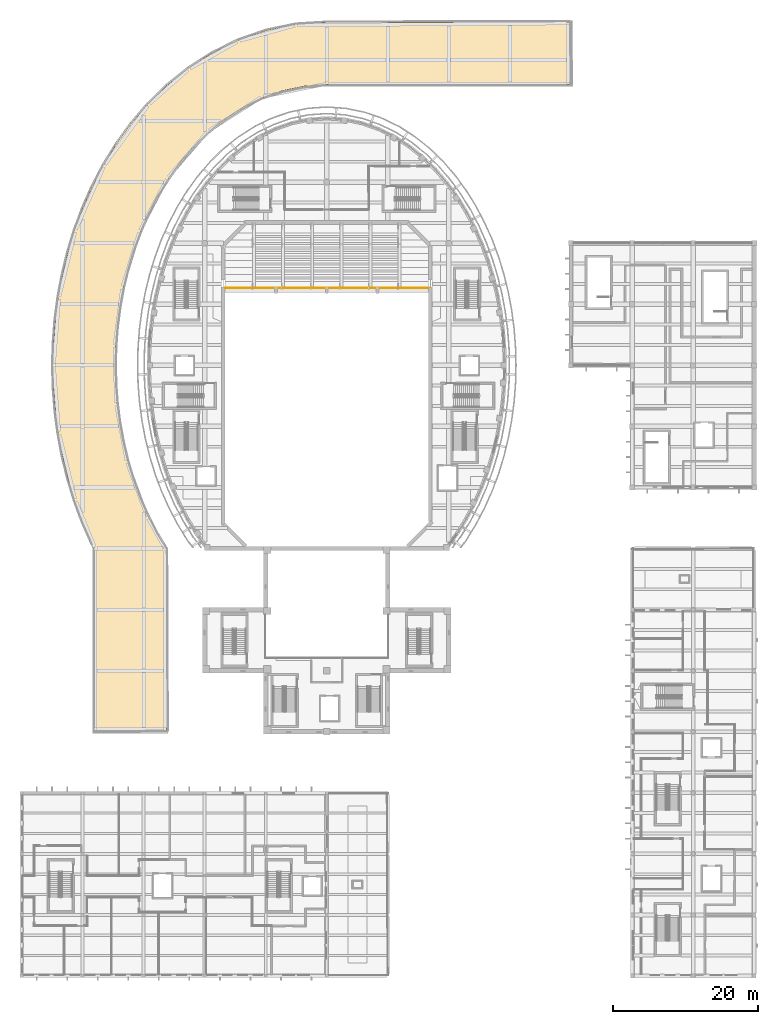
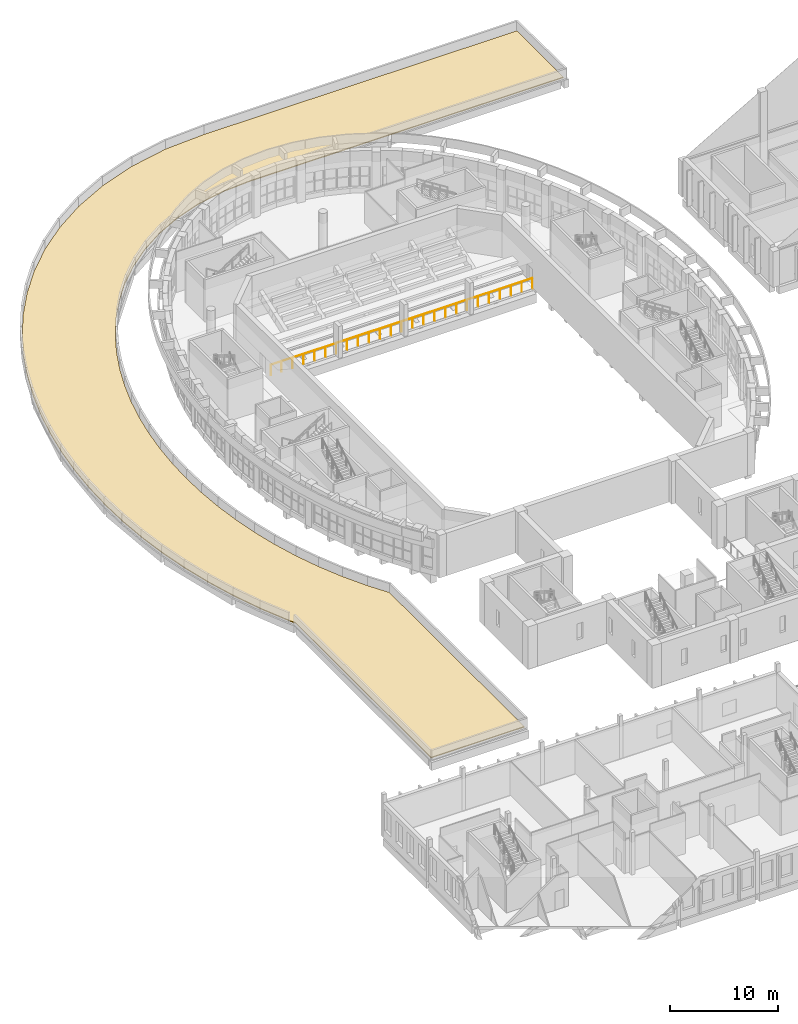
# One storey, part 70 of 79: 1 covering, 1 railing.
"""IFC4 building model written with IfcOpenShell, lengths in metres."""

import ifcopenshell
import ifcopenshell.guid

model = None  # the IFC model being written
_history = None  # IfcOwnerHistory: only IFC2X3 demands one
_inside = {}  # id of a spatial element -> (the spatial element, [elements in it])
_under = {}  # id of a project, library or spatial element -> (it, [spatial elements below it])
_declared = {}  # id of a project -> (the project, [libraries it declares])
_typed = {}  # id of a type object -> (the type object, [elements of that type])
_made_of = {}  # id of a material, layer set ... -> (it, [elements and type objects made of it])


def new_model(schema):
    """Start an empty IFC model of exactly this schema.

    Asked for "IFC4X3", IfcOpenShell would pick the latest addendum, in which some entities
    have other attributes; the version numbers below select the first issue.
    IFC2X3 requires an IfcOwnerHistory on every rooted entity: one is made here for all.
    """
    global model, _history
    if schema == "IFC4X3":
        model = ifcopenshell.file(schema_version=(4, 3, 0, 0))
    else:
        model = ifcopenshell.file(schema=schema)
    _inside.clear()
    _under.clear()
    _declared.clear()
    _typed.clear()
    _made_of.clear()
    _history = None
    if model.schema == "IFC2X3":
        org = make("IfcOrganization", Name="unknown")
        user = make(
            "IfcPersonAndOrganization",
            ThePerson=make("IfcPerson", FamilyName="unknown"),
            TheOrganization=org,
        )
        app = make(
            "IfcApplication",
            ApplicationDeveloper=org,
            Version="unknown",
            ApplicationFullName="unknown",
            ApplicationIdentifier="unknown",
        )
        _history = make(
            "IfcOwnerHistory",
            OwningUser=user,
            OwningApplication=app,
            ChangeAction="ADDED",
            CreationDate=0,
        )
    return model


def make(cls, **values):
    """One entity of the class cls with the attributes given. An attribute that is None is left unset."""
    return model.create_entity(
        cls, **{name: value for name, value in values.items() if value is not None}
    )


def rooted(cls, **values):
    """An entity with a GlobalId (a new one), such as an element, a storey or a relation."""
    return make(cls, GlobalId=ifcopenshell.guid.new(), OwnerHistory=_history, **values)


def si_unit(unit_type, name, prefix=None):
    """IfcSIUnit, for example si_unit("LENGTHUNIT", "METRE", prefix="MILLI")."""
    return make("IfcSIUnit", UnitType=unit_type, Prefix=prefix, Name=name)


def assignment(units):
    """IfcUnitAssignment: the units of a project."""
    return None if units is None else make("IfcUnitAssignment", Units=units)


def point(xyz):
    """IfcCartesianPoint."""
    return None if xyz is None else make("IfcCartesianPoint", Coordinates=xyz)


def direction(xyz):
    """IfcDirection."""
    return None if xyz is None else make("IfcDirection", DirectionRatios=xyz)


def frame(location, z_axis=None, x_axis=None):
    """IfcAxis2Placement3D, a coordinate frame: its origin and axes. An axis left out is left unset."""
    return make(
        "IfcAxis2Placement3D",
        Location=point(location),
        Axis=direction(z_axis),
        RefDirection=direction(x_axis),
    )


def frame_2d(location, x_axis=None):
    """IfcAxis2Placement2D, a coordinate frame in the plane: its origin and x axis."""
    return make(
        "IfcAxis2Placement2D", Location=point(location), RefDirection=direction(x_axis)
    )


def origin():
    """The frame at (0, 0, 0) with its axes left unset."""
    return frame((0.0, 0.0, 0.0))


def origin_2d():
    """The frame at (0, 0) in the plane with its x axis left unset."""
    return frame_2d((0.0, 0.0))


def place(relative_to, where):
    """IfcLocalPlacement: puts the frame where relative to a parent placement (None: the world)."""
    return make(
        "IfcLocalPlacement", PlacementRelTo=relative_to, RelativePlacement=where
    )


def context(
    kind, dimensions, precision=None, world=None, true_north=None, identifier=None
):
    """IfcGeometricRepresentationContext, for example the 3D "Model" context."""
    return make(
        "IfcGeometricRepresentationContext",
        ContextIdentifier=identifier,
        ContextType=kind,
        CoordinateSpaceDimension=dimensions,
        Precision=precision,
        WorldCoordinateSystem=world,
        TrueNorth=true_north,
    )


def subcontext(parent, identifier, kind, view, scale=None):
    """IfcGeometricRepresentationSubContext, for example "Body" below "Model"."""
    return make(
        "IfcGeometricRepresentationSubContext",
        ContextIdentifier=identifier,
        ContextType=kind,
        ParentContext=parent,
        TargetScale=scale,
        TargetView=view,
    )


def project(units=None, contexts=None):
    """IfcProject with its units and contexts."""
    return rooted(
        "IfcProject",
        Name="project",
        RepresentationContexts=contexts,
        UnitsInContext=assignment(units),
    )


def spatial(cls, under=None, at=None, **own):
    """A site, building, storey or space (cls), placed at a placement, below another one or the project."""
    s = rooted(cls, ObjectPlacement=at, **own)
    if under is not None:
        _under.setdefault(under.id(), (under, []))[1].append(s)
    return s


def polyline(points):
    """IfcPolyline through the points."""
    return make("IfcPolyline", Points=[point(p) for p in points])


def profile(cls, at=None, kind="AREA", **sizes):
    """A parametric profile (cls). Its sizes go by their IFC names, for example OverallWidth=200.0."""
    return make(cls, ProfileType=kind, Position=at, **sizes)


def circle(**sizes):
    """IfcCircleProfileDef."""
    return profile("IfcCircleProfileDef", **sizes)


def outline(outer, holes=None, kind="AREA"):
    """IfcArbitraryClosedProfileDef: a profile drawn as a closed curve; with holes, ...WithVoids."""
    if holes is None:
        return make("IfcArbitraryClosedProfileDef", ProfileType=kind, OuterCurve=outer)
    return make(
        "IfcArbitraryProfileDefWithVoids",
        ProfileType=kind,
        OuterCurve=outer,
        InnerCurves=holes,
    )


def extrude(swept, where, along, depth):
    """IfcExtrudedAreaSolid: the profile swept, set in the frame where, extruded along a direction by depth."""
    return make(
        "IfcExtrudedAreaSolid",
        SweptArea=swept,
        Position=where,
        ExtrudedDirection=direction(along),
        Depth=depth,
    )


def shape(context_of_items, identifier, shape_type, items):
    """IfcShapeRepresentation: the items that make up one representation, for example the "Body"."""
    return make(
        "IfcShapeRepresentation",
        ContextOfItems=context_of_items,
        RepresentationIdentifier=identifier,
        RepresentationType=shape_type,
        Items=items,
    )


def material(Name=None, Category=None):
    """IfcMaterial."""
    return make("IfcMaterial", Name=Name, Category=Category)


def layer(
    of_material, thickness, ventilated=None, Name=None, Category=None, Priority=None
):
    """IfcMaterialLayer: one layer of a wall or slab, of a material (None: an air gap)."""
    return make(
        "IfcMaterialLayer",
        Material=of_material,
        LayerThickness=thickness,
        IsVentilated=ventilated,
        Name=Name,
        Category=Category,
        Priority=Priority,
    )


def layer_set(layers, Name=None):
    """IfcMaterialLayerSet."""
    return make("IfcMaterialLayerSet", MaterialLayers=layers, LayerSetName=Name)


def made_of(thing, what):
    """Note that an element or type object is made of a material, layer set ...; save() writes the relation."""
    if what is not None:
        _made_of.setdefault(what.id(), (what, []))[1].append(thing)
    return thing


def type_object(cls, material=None, **own):
    """A type object (cls), such as IfcWallType, which elements share."""
    return made_of(rooted(cls, **own), material)


def element(
    cls,
    number,
    at=None,
    inside=None,
    cuts=None,
    type_object=None,
    material=None,
    context=None,
    identifier="Body",
    shape_type=None,
    held_by="IfcProductDefinitionShape",
    body=None,
    shapes=None,
    **own,
):
    """One element of the class cls, such as IfcWall. Its Tag is "e" and its number.

    at: its placement. inside: the storey or other place that contains it. cuts: it is an
    opening in that element (IfcRelVoidsElement). A single representation is given by context,
    identifier, shape_type and body (its items); several are given by shapes. held_by: the class
    of the entity that holds the representations. save() writes the other relations.
    """
    e = rooted(cls, Tag="e%d" % number, ObjectPlacement=at, **own)
    if body is not None:
        shapes = [shape(context, identifier, shape_type, body)]
    if shapes is not None:
        e.Representation = make(held_by, Representations=shapes)
    if inside is not None:
        _inside.setdefault(inside.id(), (inside, []))[1].append(e)
    if cuts is not None:
        rooted(
            "IfcRelVoidsElement", RelatingBuildingElement=cuts, RelatedOpeningElement=e
        )
    if type_object is not None:
        _typed.setdefault(type_object.id(), (type_object, []))[1].append(e)
    return made_of(e, material)


def aggregate(whole, parts):
    """IfcRelAggregates: a whole, such as a stair, and the parts it consists of."""
    return rooted("IfcRelAggregates", RelatingObject=whole, RelatedObjects=parts)


def save(model, path):
    """Write the relations noted so far, then the file.

    IfcRelAggregates (storeys below a building ...), IfcRelContainedInSpatialStructure (elements
    in a storey), IfcRelDefinesByType, IfcRelAssociatesMaterial and IfcRelDeclares: one each for
    every whole, place, type object, material and project.
    """
    for whole, parts in _under.values():
        aggregate(whole, parts)
    for where, things in _inside.values():
        rooted(
            "IfcRelContainedInSpatialStructure",
            RelatedElements=things,
            RelatingStructure=where,
        )
    for kind, things in _typed.values():
        rooted("IfcRelDefinesByType", RelatedObjects=things, RelatingType=kind)
    for what, things in _made_of.values():
        rooted("IfcRelAssociatesMaterial", RelatedObjects=things, RelatingMaterial=what)
    for by, libraries in _declared.values():
        rooted("IfcRelDeclares", RelatingContext=by, RelatedDefinitions=libraries)
    model.write(path)


model = new_model("IFC4")

# Units and contexts
model_context = context("Model", 3, precision=1e-05, world=origin(), true_north=direction((0.0, 1.0)))
body_context = subcontext(model_context, "Body", "Model", "MODEL_VIEW")
ifc_project = project(units=[si_unit("LENGTHUNIT", "METRE"), si_unit("AREAUNIT", "SQUARE_METRE"), si_unit("VOLUMEUNIT", "CUBIC_METRE"), si_unit("PLANEANGLEUNIT", "RADIAN"), si_unit("MASSUNIT", "GRAM", prefix="KILO")], contexts=[model_context])

# Site, building, storey
site_placement = place(None, origin())
site = spatial("IfcSite", under=ifc_project, at=site_placement, CompositionType="ELEMENT")
building_placement = place(site_placement, origin())
building = spatial("IfcBuilding", under=site, at=building_placement, Name="Larchfold Concert Hall", CompositionType="ELEMENT")
storey_placement = place(building_placement, frame((0.0, 0.0, 14.39990234375)))
storey = spatial("IfcBuildingStorey", under=building, at=storey_placement, Name="L03", CompositionType="ELEMENT", Elevation=14.39990234375)

# Railing
ifc_material_1 = material(Name="Stainless steel balustrade", Category="steel")
railing_type = type_object("IfcRailingType", Name="Balcony guard 1200", PredefinedType="GUARDRAIL", material=ifc_material_1)
railing_placement = place(storey_placement, frame((28.6298828125, 95.25, 0.0)))
element("IfcRailing", 1, at=railing_placement, inside=storey, type_object=railing_type, Name="Guard GR0076", PredefinedType="GUARDRAIL", context=body_context, shape_type="SweptSolid", body=[
    extrude(circle(Radius=0.02392578125, at=origin_2d()), frame((0.0, 0.0, 1.17578125), z_axis=(1.0, 0.0, 0.0), x_axis=(0.0, 1.0, 0.0)), (0.0, 0.0, 1.0), 27.940185546875),
    extrude(circle(Radius=0.02099609375, at=origin_2d()), origin(), (0.0, 0.0, 1.0), 1.15185546875),
    extrude(circle(Radius=0.02099609375, at=origin_2d()), frame((1.1640625, 0.0, 0.0)), (0.0, 0.0, 1.0), 1.15185546875),
    extrude(circle(Radius=0.02099609375, at=origin_2d()), frame((2.328369140625, 0.0, 0.0)), (0.0, 0.0, 1.0), 1.15185546875),
    extrude(circle(Radius=0.02099609375, at=origin_2d()), frame((3.492431640625, 0.0, 0.0)), (0.0, 0.0, 1.0), 1.15185546875),
    extrude(circle(Radius=0.02099609375, at=origin_2d()), frame((4.65673828125, 0.0, 0.0)), (0.0, 0.0, 1.0), 1.15185546875),
    extrude(circle(Radius=0.02099609375, at=origin_2d()), frame((5.82080078125, 0.0, 0.0)), (0.0, 0.0, 1.0), 1.15185546875),
    extrude(circle(Radius=0.02099609375, at=origin_2d()), frame((6.985107421875, 0.0, 0.0)), (0.0, 0.0, 1.0), 1.15185546875),
    extrude(circle(Radius=0.02099609375, at=origin_2d()), frame((8.149169921875, 0.0, 0.0)), (0.0, 0.0, 1.0), 1.15185546875),
    extrude(circle(Radius=0.02099609375, at=origin_2d()), frame((9.3134765625, 0.0, 0.0)), (0.0, 0.0, 1.0), 1.15185546875),
    extrude(circle(Radius=0.02099609375, at=origin_2d()), frame((10.4775390625, 0.0, 0.0)), (0.0, 0.0, 1.0), 1.15185546875),
    extrude(circle(Radius=0.02099609375, at=origin_2d()), frame((11.641845703125, 0.0, 0.0)), (0.0, 0.0, 1.0), 1.15185546875),
    extrude(circle(Radius=0.02099609375, at=origin_2d()), frame((12.805908203125, 0.0, 0.0)), (0.0, 0.0, 1.0), 1.15185546875),
    extrude(circle(Radius=0.02099609375, at=origin_2d()), frame((13.97021484375, 0.0, 0.0)), (0.0, 0.0, 1.0), 1.15185546875),
    extrude(circle(Radius=0.02099609375, at=origin_2d()), frame((15.13427734375, 0.0, 0.0)), (0.0, 0.0, 1.0), 1.15185546875),
    extrude(circle(Radius=0.02099609375, at=origin_2d()), frame((16.29833984375, 0.0, 0.0)), (0.0, 0.0, 1.0), 1.15185546875),
    extrude(circle(Radius=0.02099609375, at=origin_2d()), frame((17.462646484375, 0.0, 0.0)), (0.0, 0.0, 1.0), 1.15185546875),
    extrude(circle(Radius=0.02099609375, at=origin_2d()), frame((18.626708984375, 0.0, 0.0)), (0.0, 0.0, 1.0), 1.15185546875),
    extrude(circle(Radius=0.02099609375, at=origin_2d()), frame((19.791015625, 0.0, 0.0)), (0.0, 0.0, 1.0), 1.15185546875),
    extrude(circle(Radius=0.02099609375, at=origin_2d()), frame((20.955078125, 0.0, 0.0)), (0.0, 0.0, 1.0), 1.15185546875),
    extrude(circle(Radius=0.02099609375, at=origin_2d()), frame((22.119384765625, 0.0, 0.0)), (0.0, 0.0, 1.0), 1.15185546875),
    extrude(circle(Radius=0.02099609375, at=origin_2d()), frame((23.283447265625, 0.0, 0.0)), (0.0, 0.0, 1.0), 1.15185546875),
    extrude(circle(Radius=0.02099609375, at=origin_2d()), frame((24.44775390625, 0.0, 0.0)), (0.0, 0.0, 1.0), 1.15185546875),
    extrude(circle(Radius=0.02099609375, at=origin_2d()), frame((25.61181640625, 0.0, 0.0)), (0.0, 0.0, 1.0), 1.15185546875),
    extrude(circle(Radius=0.02099609375, at=origin_2d()), frame((26.776123046875, 0.0, 0.0)), (0.0, 0.0, 1.0), 1.15185546875),
    extrude(circle(Radius=0.02099609375, at=origin_2d()), frame((27.940185546875, 0.0, 0.0)), (0.0, 0.0, 1.0), 1.15185546875),
])

# Covering
ifc_material_2 = material(Name="Insulation and bitumen membrane")
ifc_layer = layer(ifc_material_2, 0.10009765625)
ifc_layer_set = layer_set([ifc_layer], Name="Insulation and bitumen membrane")
covering_type = type_object("IfcCoveringType", Name="Roof membrane build-up 100", PredefinedType="ROOFING", material=ifc_layer_set)
covering_placement = place(storey_placement, origin())
element("IfcCovering", 2, at=covering_placement, inside=storey, type_object=covering_type, Name="Roof covering RC012", PredefinedType="ROOFING", context=body_context, shape_type="SweptSolid", body=[
    extrude(outline(polyline([(19.344482421875, 61.300537109375), (18.07275390625, 63.734130859375), (16.970703125, 66.228759765625), (16.030517578125, 68.773193359375), (15.245849609375, 71.35693359375), (14.611328125, 73.971435546875), (14.1220703125, 76.60888671875), (13.77490234375, 79.263427734375), (13.567626953125, 81.92919921875), (13.498779296875, 84.60009765625), (13.567626953125, 87.27099609375), (13.77490234375, 89.936767578125), (14.1220703125, 92.59130859375), (14.611328125, 95.228759765625), (15.245849609375, 97.84326171875), (16.030517578125, 100.427001953125), (16.970703125, 102.971435546875), (18.07275390625, 105.466064453125), (19.344482421875, 107.899658203125), (20.795166015625, 110.257080078125), (22.434326171875, 112.52001953125), (24.271240234375, 114.66455078125), (26.3154296875, 116.6630859375), (28.572509765625, 118.479736328125), (31.0419921875, 120.07177734375), (33.714111328125, 121.3896484375), (36.563232421875, 122.382080078125), (39.54541015625, 123.00048828125), (42.59326171875, 123.21044921875), (76.0, 123.199951171875), (76.0, 131.800048828125), (42.606201171875, 131.800048828125), (38.37060546875, 131.539794921875), (34.266357421875, 130.688720703125), (30.385009765625, 129.3369140625), (26.796142578125, 127.566650390625), (23.53271484375, 125.463134765625), (20.599609375, 123.1025390625), (17.9873046875, 120.5478515625), (15.675048828125, 117.848388671875), (13.640625, 115.039794921875), (11.8623046875, 112.150146484375), (10.320068359375, 109.198974609375), (8.996337890625, 106.202392578125), (7.87548828125, 103.169189453125), (6.9462890625, 100.109130859375), (6.1982421875, 97.029052734375), (5.624267578125, 93.93408203125), (5.218017578125, 90.828369140625), (4.97607421875, 87.715576171875), (4.8955078125, 84.60009765625), (4.97607421875, 81.484619140625), (5.218017578125, 78.371826171875), (5.624267578125, 75.26611328125), (6.1982421875, 72.171142578125), (6.9462890625, 69.091064453125), (7.87548828125, 66.031005859375), (8.996337890625, 62.997802734375), (10.3203125, 60.0009765625), (10.6083984375, 59.448974609375), (10.6083984375, 34.39990234375), (20.548828125, 34.39990234375), (20.548828125, 59.34326171875), (19.344482421875, 61.300537109375)])), origin(), (0.0, 0.0, 1.0), 0.10009765625),
])

save(model, "model.ifc")
